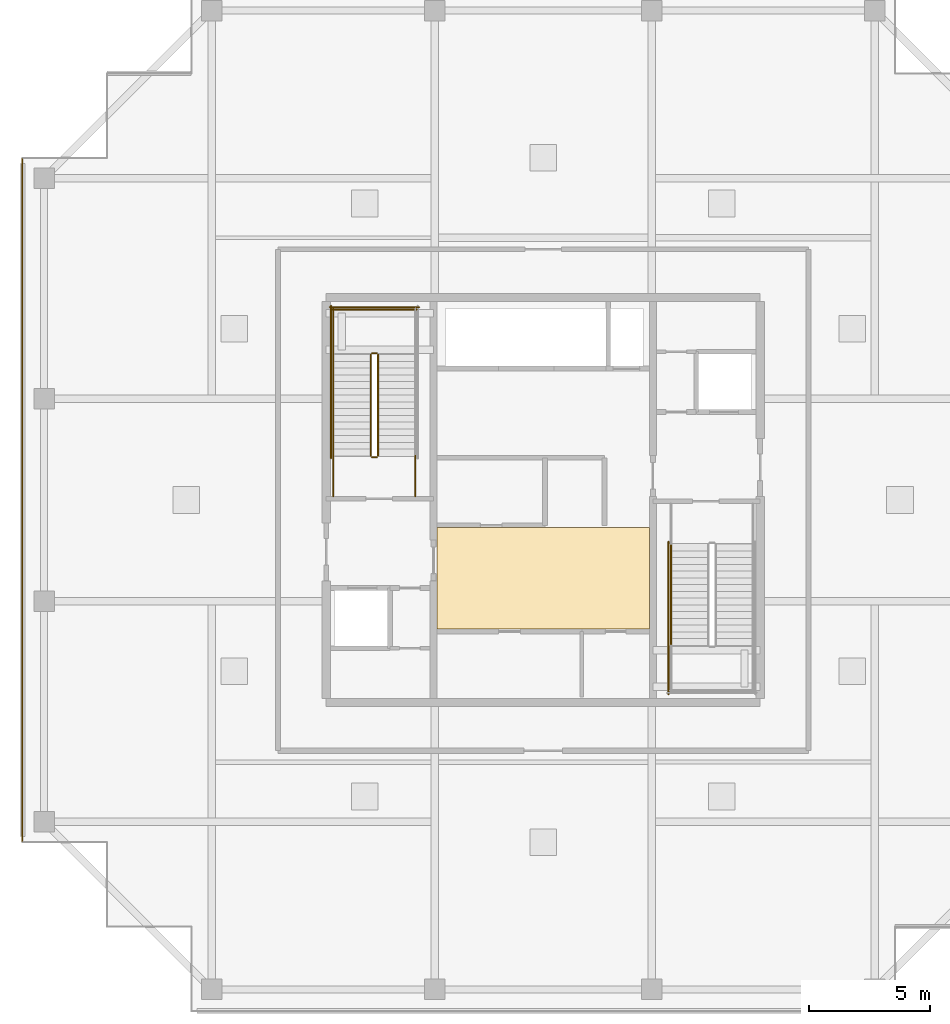
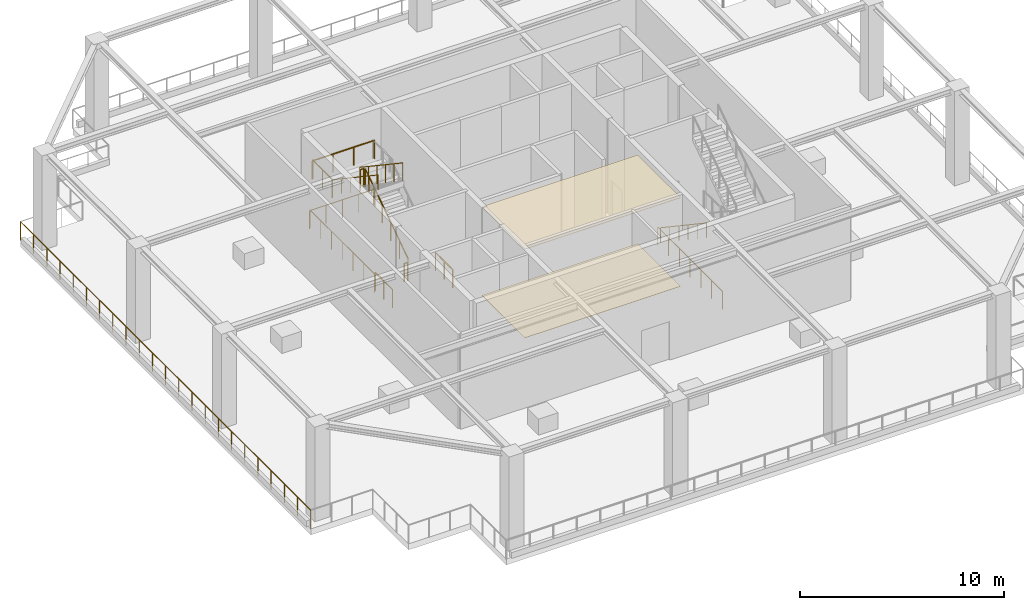
# One storey, part 8 of 10: 14 railings, 2 coverings.
"""IFC4 building model written with IfcOpenShell, lengths in metres."""

from ifc_helpers import new_model, si_unit, direction, frame, origin, origin_2d, place, context, subcontext, project, spatial, polyline, circle, outline, extrude, material, layer, layer_set, type_object, element, save


model = new_model("IFC4")

# Units and contexts
model_context = context("Model", 3, precision=1e-05, world=origin(), true_north=direction((0.0, 1.0)))
body_context = subcontext(model_context, "Body", "Model", "MODEL_VIEW")
ifc_project = project(units=[si_unit("LENGTHUNIT", "METRE"), si_unit("AREAUNIT", "SQUARE_METRE"), si_unit("VOLUMEUNIT", "CUBIC_METRE"), si_unit("PLANEANGLEUNIT", "RADIAN"), si_unit("MASSUNIT", "GRAM", prefix="KILO")], contexts=[model_context])

# Site, building, storey
site_placement = place(None, origin())
site = spatial("IfcSite", under=ifc_project, at=site_placement, CompositionType="ELEMENT")
building_placement = place(site_placement, origin())
building = spatial("IfcBuilding", under=site, at=building_placement, Name="Serunith Strait Residences", CompositionType="ELEMENT")
storey_placement = place(building_placement, frame((0.0, 0.0, 359.75)))
storey = spatial("IfcBuildingStorey", under=building, at=storey_placement, Name="L88", CompositionType="ELEMENT", Elevation=359.75)

# Coverings
ifc_material_1 = material(Name="Perforated acoustic gypsum ceiling tile")
ifc_layer_1 = layer(ifc_material_1, 0.02490234375, Name="Perforated acoustic gypsum ceiling tile")
ifc_layer_set_1 = layer_set([ifc_layer_1], Name="Perforated acoustic gypsum ceiling tile")
covering_type_1 = type_object("IfcCoveringType", Name="COV-CEIL-AC60", PredefinedType="CEILING", material=ifc_layer_set_1)
covering_1_placement = place(storey_placement, frame((0.0, 0.0, 5.2900390625)))
element("IfcCovering", 1, at=covering_1_placement, inside=storey, type_object=covering_type_1, Name="L88 Lift Lobby Acoustic Ceiling", PredefinedType="CEILING", context=body_context, shape_type="SweptSolid", body=[
    extrude(outline(polyline([(28.0, 19.85009765625), (36.800048828125, 19.85009765625), (36.800048828125, 24.050048828125), (28.0, 24.050048828125), (28.0, 19.85009765625)])), origin(), (0.0, 0.0, 1.0), 0.02490234375),
])
ifc_material_2 = material(Name="Honed limestone terrazzo flooring", Category="masonry")
ifc_layer_2 = layer(ifc_material_2, 0.02001953125, Name="Honed limestone terrazzo flooring")
ifc_layer_set_2 = layer_set([ifc_layer_2], Name="Honed limestone terrazzo flooring")
covering_type_2 = type_object("IfcCoveringType", Name="COV-FLOOR-TER40", PredefinedType="FLOORING", material=ifc_layer_set_2)
covering_2_placement = place(storey_placement, origin())
element("IfcCovering", 2, at=covering_2_placement, inside=storey, type_object=covering_type_2, Name="L88 Lift Lobby Terrazzo Flooring", PredefinedType="FLOORING", context=body_context, shape_type="SweptSolid", body=[
    extrude(outline(polyline([(28.0, 19.85009765625), (36.800048828125, 19.85009765625), (36.800048828125, 24.050048828125), (28.0, 24.050048828125), (28.0, 19.85009765625)])), origin(), (0.0, 0.0, 1.0), 0.02001953125),
])

# Railings
ifc_material_3 = material(Name="Stainless Steel & Laminated Glass Balustrade", Category="steel")
railing_type_1 = type_object("IfcRailingType", Name="RLG-BALC-1150", PredefinedType="BALUSTRADE", material=ifc_material_3)
railing_1_placement = place(storey_placement, frame((10.800048828125, 39.39990234375, 0.0)))
element("IfcRailing", 3, at=railing_1_placement, inside=storey, type_object=railing_type_1, Name="Crown Sky-Garden Perimeter Balustrade 16", PredefinedType="BALUSTRADE", context=body_context, shape_type="SweptSolid", body=[
    extrude(circle(Radius=0.02392578125, at=origin_2d()), frame((0.0, -0.001953125, 1.1259765625), z_axis=(0.0, -1.0, 0.0), x_axis=(1.0, 0.0, 0.0)), (0.0, 0.0, 1.0), 28.39599609375),
    extrude(circle(Radius=0.02099609375, at=origin_2d()), origin(), (0.0, 0.0, 1.0), 1.099853515625),
    extrude(circle(Radius=0.02099609375, at=origin_2d()), frame((0.0, -1.291015625, 0.0)), (0.0, 0.0, 1.0), 1.099853515625),
    extrude(circle(Radius=0.02099609375, at=origin_2d()), frame((0.0, -2.581787109375, 0.0)), (0.0, 0.0, 1.0), 1.099853515625),
    extrude(circle(Radius=0.02099609375, at=origin_2d()), frame((0.0, -3.872802734375, 0.0)), (0.0, 0.0, 1.0), 1.099853515625),
    extrude(circle(Radius=0.02099609375, at=origin_2d()), frame((0.0, -5.16357421875, 0.0)), (0.0, 0.0, 1.0), 1.099853515625),
    extrude(circle(Radius=0.02099609375, at=origin_2d()), frame((0.0, -6.45458984375, 0.0)), (0.0, 0.0, 1.0), 1.099853515625),
    extrude(circle(Radius=0.02099609375, at=origin_2d()), frame((0.0, -7.745361328125, 0.0)), (0.0, 0.0, 1.0), 1.099853515625),
    extrude(circle(Radius=0.02099609375, at=origin_2d()), frame((0.0, -9.036376953125, 0.0)), (0.0, 0.0, 1.0), 1.099853515625),
    extrude(circle(Radius=0.02099609375, at=origin_2d()), frame((0.0, -10.3271484375, 0.0)), (0.0, 0.0, 1.0), 1.099853515625),
    extrude(circle(Radius=0.02099609375, at=origin_2d()), frame((0.0, -11.6181640625, 0.0)), (0.0, 0.0, 1.0), 1.099853515625),
    extrude(circle(Radius=0.02099609375, at=origin_2d()), frame((0.0, -12.908935546875, 0.0)), (0.0, 0.0, 1.0), 1.099853515625),
    extrude(circle(Radius=0.02099609375, at=origin_2d()), frame((0.0, -14.199951171875, 0.0)), (0.0, 0.0, 1.0), 1.099853515625),
    extrude(circle(Radius=0.02099609375, at=origin_2d()), frame((0.0, -15.490966796875, 0.0)), (0.0, 0.0, 1.0), 1.099853515625),
    extrude(circle(Radius=0.02099609375, at=origin_2d()), frame((0.0, -16.78173828125, 0.0)), (0.0, 0.0, 1.0), 1.099853515625),
    extrude(circle(Radius=0.02099609375, at=origin_2d()), frame((0.0, -18.07275390625, 0.0)), (0.0, 0.0, 1.0), 1.099853515625),
    extrude(circle(Radius=0.02099609375, at=origin_2d()), frame((0.0, -19.363525390625, 0.0)), (0.0, 0.0, 1.0), 1.099853515625),
    extrude(circle(Radius=0.02099609375, at=origin_2d()), frame((0.0, -20.654541015625, 0.0)), (0.0, 0.0, 1.0), 1.099853515625),
    extrude(circle(Radius=0.02099609375, at=origin_2d()), frame((0.0, -21.9453125, 0.0)), (0.0, 0.0, 1.0), 1.099853515625),
    extrude(circle(Radius=0.02099609375, at=origin_2d()), frame((0.0, -23.236328125, 0.0)), (0.0, 0.0, 1.0), 1.099853515625),
    extrude(circle(Radius=0.02099609375, at=origin_2d()), frame((0.0, -24.527099609375, 0.0)), (0.0, 0.0, 1.0), 1.099853515625),
    extrude(circle(Radius=0.02099609375, at=origin_2d()), frame((0.0, -25.818115234375, 0.0)), (0.0, 0.0, 1.0), 1.099853515625),
    extrude(circle(Radius=0.02099609375, at=origin_2d()), frame((0.0, -27.10888671875, 0.0)), (0.0, 0.0, 1.0), 1.099853515625),
    extrude(circle(Radius=0.02099609375, at=origin_2d()), frame((0.0, -28.39990234375, 0.0)), (0.0, 0.0, 1.0), 1.099853515625),
])
ifc_material_4 = material(Name="Brushed stainless steel 316L", Category="steel")
railing_type_2 = type_object("IfcRailingType", Name="RLG-STAIR-GUARD", PredefinedType="BALUSTRADE", material=ifc_material_4)
railing_2_placement = place(storey_placement, frame((25.550048828125, 27.030029296875, 0.1875)))
element("IfcRailing", 4, at=railing_2_placement, inside=storey, type_object=railing_type_2, Name="L88 ST-1 stair guard 1", PredefinedType="BALUSTRADE", context=body_context, shape_type="SweptSolid", body=[
    extrude(circle(Radius=0.02392578125, at=origin_2d()), frame((0.0, 0.001708984375, 1.0771484375), z_axis=(0.0, 0.830904186295, 0.556415522067), x_axis=(-1.0, 0.0, 0.0)), (0.0, 0.0, 1.0), 5.05078125),
    extrude(circle(Radius=0.02099609375, at=origin_2d()), origin(), (0.0, 0.0, 1.0), 1.050048828125),
    extrude(circle(Radius=0.02099609375, at=origin_2d()), frame((0.0, 0.840087890625, 0.5625)), (0.0, 0.0, 1.0), 1.050048828125),
    extrude(circle(Radius=0.02099609375, at=origin_2d()), frame((0.0, 1.679931640625, 1.125)), (0.0, 0.0, 1.0), 1.050048828125),
    extrude(circle(Radius=0.02099609375, at=origin_2d()), frame((0.0, 2.52001953125, 1.6875)), (0.0, 0.0, 1.0), 1.050048828125),
    extrude(circle(Radius=0.02099609375, at=origin_2d()), frame((0.0, 3.35986328125, 2.25)), (0.0, 0.0, 1.0), 1.050048828125),
    extrude(circle(Radius=0.02099609375, at=origin_2d()), frame((0.0, 4.199951171875, 2.8125)), (0.0, 0.0, 1.0), 1.050048828125),
])
railing_3_placement = place(storey_placement, frame((25.5, 31.280029296875, 3.0)))
element("IfcRailing", 5, at=railing_3_placement, inside=storey, type_object=railing_type_2, Name="L88 ST-1 stair guard 2", PredefinedType="BALUSTRADE", context=body_context, shape_type="SweptSolid", body=[
    extrude(circle(Radius=0.02392578125, at=origin_2d()), frame((-0.001953125, 0.0, 1.076171875), z_axis=(-1.0, 0.0, 0.0), x_axis=(0.0, -1.0, 0.0)), (0.0, 0.0, 1.0), 0.196044921875),
    extrude(circle(Radius=0.02099609375, at=origin_2d()), origin(), (0.0, 0.0, 1.0), 1.050048828125),
    extrude(circle(Radius=0.02099609375, at=origin_2d()), frame((-0.199951171875, 0.0, 0.0)), (0.0, 0.0, 1.0), 1.050048828125),
])
railing_4_placement = place(storey_placement, frame((23.699951171875, 31.22998046875, 3.0)))
element("IfcRailing", 6, at=railing_4_placement, inside=storey, type_object=railing_type_2, Name="L88 ST-1 stair guard 4", PredefinedType="BALUSTRADE", context=body_context, shape_type="SweptSolid", body=[
    extrude(circle(Radius=0.02392578125, at=origin_2d()), frame((0.0, 0.001953125, 1.076171875), z_axis=(0.0, 1.0, 0.0), x_axis=(-1.0, 0.0, 0.0)), (0.0, 0.0, 1.0), 1.916015625),
    extrude(circle(Radius=0.02099609375, at=origin_2d()), origin(), (0.0, 0.0, 1.0), 1.050048828125),
    extrude(circle(Radius=0.02099609375, at=origin_2d()), frame((0.0, 0.9599609375, 0.0)), (0.0, 0.0, 1.0), 1.050048828125),
    extrude(circle(Radius=0.02099609375, at=origin_2d()), frame((0.0, 1.919921875, 0.0)), (0.0, 0.0, 1.0), 1.050048828125),
])
railing_5_placement = place(storey_placement, frame((27.14990234375, 33.10009765625, 3.0)))
element("IfcRailing", 7, at=railing_5_placement, inside=storey, type_object=railing_type_2, Name="L88 ST-1 stair guard 5", PredefinedType="BALUSTRADE", context=body_context, shape_type="SweptSolid", body=[
    extrude(circle(Radius=0.02392578125, at=origin_2d()), frame((-0.001953125, 0.0, 1.076171875), z_axis=(-1.0, 0.0, 0.0), x_axis=(0.0, -1.0, 0.0)), (0.0, 0.0, 1.0), 3.49609375),
    extrude(circle(Radius=0.02099609375, at=origin_2d()), origin(), (0.0, 0.0, 1.0), 1.050048828125),
    extrude(circle(Radius=0.02099609375, at=origin_2d()), frame((-1.166748046875, 0.0, 0.0)), (0.0, 0.0, 1.0), 1.050048828125),
    extrude(circle(Radius=0.02099609375, at=origin_2d()), frame((-2.333251953125, 0.0, 0.0)), (0.0, 0.0, 1.0), 1.050048828125),
    extrude(circle(Radius=0.02099609375, at=origin_2d()), frame((-3.5, 0.0, 0.0)), (0.0, 0.0, 1.0), 1.050048828125),
])
railing_6_placement = place(storey_placement, frame((25.25, 31.22998046875, 3.1875)))
element("IfcRailing", 8, at=railing_6_placement, inside=storey, type_object=railing_type_2, Name="L88 ST-1 stair guard 6", PredefinedType="BALUSTRADE", context=body_context, shape_type="SweptSolid", body=[
    extrude(circle(Radius=0.02392578125, at=origin_2d()), frame((0.0, -0.001708984375, 1.0771484375), z_axis=(0.0, -0.830904186295, 0.556415522067), x_axis=(1.0, 0.0, 0.0)), (0.0, 0.0, 1.0), 5.05078125),
    extrude(circle(Radius=0.02099609375, at=origin_2d()), origin(), (0.0, 0.0, 1.0), 1.050048828125),
    extrude(circle(Radius=0.02099609375, at=origin_2d()), frame((0.0, -0.840087890625, 0.5625)), (0.0, 0.0, 1.0), 1.050048828125),
    extrude(circle(Radius=0.02099609375, at=origin_2d()), frame((0.0, -1.679931640625, 1.125)), (0.0, 0.0, 1.0), 1.050048828125),
    extrude(circle(Radius=0.02099609375, at=origin_2d()), frame((0.0, -2.52001953125, 1.6875)), (0.0, 0.0, 1.0), 1.050048828125),
    extrude(circle(Radius=0.02099609375, at=origin_2d()), frame((0.0, -3.35986328125, 2.25)), (0.0, 0.0, 1.0), 1.050048828125),
    extrude(circle(Radius=0.02099609375, at=origin_2d()), frame((0.0, -4.199951171875, 2.8125)), (0.0, 0.0, 1.0), 1.050048828125),
])
railing_7_placement = place(storey_placement, frame((25.5, 26.97998046875, 0.0)))
element("IfcRailing", 9, at=railing_7_placement, inside=storey, type_object=railing_type_2, Name="L88 ST-1 stair guard 7", PredefinedType="BALUSTRADE", context=body_context, shape_type="SweptSolid", body=[
    extrude(circle(Radius=0.02392578125, at=origin_2d()), frame((-0.001953125, 0.0, 1.076171875), z_axis=(-1.0, 0.0, 0.0), x_axis=(0.0, -1.0, 0.0)), (0.0, 0.0, 1.0), 0.196044921875),
    extrude(circle(Radius=0.02099609375, at=origin_2d()), origin(), (0.0, 0.0, 1.0), 1.050048828125),
    extrude(circle(Radius=0.02099609375, at=origin_2d()), frame((-0.199951171875, 0.0, 0.0)), (0.0, 0.0, 1.0), 1.050048828125),
])
for number, where, name in (
    (10, (27.10009765625, 25.35009765625, 0.0), "L88 ST-1 stair guard 8"),
    (11, (23.699951171875, 25.35009765625, 0.0), "L88 ST-1 stair guard 9"),
):
    element("IfcRailing", number, at=place(storey_placement, frame(where)), inside=storey, type_object=railing_type_2, Name=name, PredefinedType="BALUSTRADE", context=body_context, shape_type="SweptSolid", body=[
        extrude(circle(Radius=0.02392578125, at=origin_2d()), frame((0.0, 0.001953125, 1.076171875), z_axis=(0.0, 1.0, 0.0), x_axis=(-1.0, 0.0, 0.0)), (0.0, 0.0, 1.0), 1.676025390625),
        extrude(circle(Radius=0.02099609375, at=origin_2d()), origin(), (0.0, 0.0, 1.0), 1.050048828125),
        extrude(circle(Radius=0.02099609375, at=origin_2d()), frame((0.0, 0.83984375, 0.0)), (0.0, 0.0, 1.0), 1.050048828125),
        extrude(circle(Radius=0.02099609375, at=origin_2d()), frame((0.0, 1.679931640625, 0.0)), (0.0, 0.0, 1.0), 1.050048828125),
    ])
railing_8_placement = place(storey_placement, frame((23.60009765625, 26.929931640625, 0.0)))
element("IfcRailing", 12, at=railing_8_placement, inside=storey, type_object=railing_type_2, Name="L88 ST-1 stair guard 11", PredefinedType="BALUSTRADE", context=body_context, shape_type="SweptSolid", body=[
    extrude(circle(Radius=0.02392578125, at=origin_2d()), frame((0.0, 0.001953125, 1.076171875), z_axis=(0.0, 1.0, 0.0), x_axis=(-1.0, 0.0, 0.0)), (0.0, 0.0, 1.0), 6.316162109375),
    extrude(circle(Radius=0.02099609375, at=origin_2d()), origin(), (0.0, 0.0, 1.0), 1.050048828125),
    extrude(circle(Radius=0.02099609375, at=origin_2d()), frame((0.0, 1.05322265625, 0.0)), (0.0, 0.0, 1.0), 1.050048828125),
    extrude(circle(Radius=0.02099609375, at=origin_2d()), frame((0.0, 2.106689453125, 0.0)), (0.0, 0.0, 1.0), 1.050048828125),
    extrude(circle(Radius=0.02099609375, at=origin_2d()), frame((0.0, 3.16015625, 0.0)), (0.0, 0.0, 1.0), 1.050048828125),
    extrude(circle(Radius=0.02099609375, at=origin_2d()), frame((0.0, 4.21337890625, 0.0)), (0.0, 0.0, 1.0), 1.050048828125),
    extrude(circle(Radius=0.02099609375, at=origin_2d()), frame((0.0, 5.2666015625, 0.0)), (0.0, 0.0, 1.0), 1.050048828125),
    extrude(circle(Radius=0.02099609375, at=origin_2d()), frame((0.0, 6.320068359375, 0.0)), (0.0, 0.0, 1.0), 1.050048828125),
])
railing_9_placement = place(storey_placement, frame((27.25, 33.199951171875, 0.0)))
element("IfcRailing", 13, at=railing_9_placement, inside=storey, type_object=railing_type_2, Name="L88 ST-1 stair guard 12", PredefinedType="BALUSTRADE", context=body_context, shape_type="SweptSolid", body=[
    extrude(circle(Radius=0.02392578125, at=origin_2d()), frame((-0.001953125, 0.0, 1.076171875), z_axis=(-1.0, 0.0, 0.0), x_axis=(0.0, -1.0, 0.0)), (0.0, 0.0, 1.0), 3.696044921875),
    extrude(circle(Radius=0.02099609375, at=origin_2d()), origin(), (0.0, 0.0, 1.0), 1.050048828125),
    extrude(circle(Radius=0.02099609375, at=origin_2d()), frame((-0.925048828125, 0.0, 0.0)), (0.0, 0.0, 1.0), 1.050048828125),
    extrude(circle(Radius=0.02099609375, at=origin_2d()), frame((-1.85009765625, 0.0, 0.0)), (0.0, 0.0, 1.0), 1.050048828125),
    extrude(circle(Radius=0.02099609375, at=origin_2d()), frame((-2.77490234375, 0.0, 0.0)), (0.0, 0.0, 1.0), 1.050048828125),
    extrude(circle(Radius=0.02099609375, at=origin_2d()), frame((-3.699951171875, 0.0, 0.0)), (0.0, 0.0, 1.0), 1.050048828125),
])
railing_10_placement = place(storey_placement, frame((37.60009765625, 23.469970703125, 0.0)))
element("IfcRailing", 14, at=railing_10_placement, inside=storey, type_object=railing_type_2, Name="L88 ST-2 stair guard 10", PredefinedType="BALUSTRADE", context=body_context, shape_type="SweptSolid", body=[
    extrude(circle(Radius=0.02392578125, at=origin_2d()), frame((0.0, -0.001953125, 1.076171875), z_axis=(0.0, -1.0, 0.0), x_axis=(1.0, 0.0, 0.0)), (0.0, 0.0, 1.0), 6.316162109375),
    extrude(circle(Radius=0.02099609375, at=origin_2d()), origin(), (0.0, 0.0, 1.0), 1.050048828125),
    extrude(circle(Radius=0.02099609375, at=origin_2d()), frame((0.0, -1.05322265625, 0.0)), (0.0, 0.0, 1.0), 1.050048828125),
    extrude(circle(Radius=0.02099609375, at=origin_2d()), frame((0.0, -2.106689453125, 0.0)), (0.0, 0.0, 1.0), 1.050048828125),
    extrude(circle(Radius=0.02099609375, at=origin_2d()), frame((0.0, -3.16015625, 0.0)), (0.0, 0.0, 1.0), 1.050048828125),
    extrude(circle(Radius=0.02099609375, at=origin_2d()), frame((0.0, -4.21337890625, 0.0)), (0.0, 0.0, 1.0), 1.050048828125),
    extrude(circle(Radius=0.02099609375, at=origin_2d()), frame((0.0, -5.2666015625, 0.0)), (0.0, 0.0, 1.0), 1.050048828125),
    extrude(circle(Radius=0.02099609375, at=origin_2d()), frame((0.0, -6.320068359375, 0.0)), (0.0, 0.0, 1.0), 1.050048828125),
])
railing_type_3 = type_object("IfcRailingType", Name="RLG-STAIR-HR", PredefinedType="HANDRAIL", material=ifc_material_4)
railing_11_placement = place(storey_placement, frame((23.699951171875, 31.22998046875, 3.1875)))
element("IfcRailing", 15, at=railing_11_placement, inside=storey, type_object=railing_type_3, Name="L88 ST-1 stair handrail 2", PredefinedType="HANDRAIL", context=body_context, shape_type="SweptSolid", body=[
    extrude(circle(Radius=0.02392578125, at=origin_2d()), frame((0.0, -0.001708984375, 0.876953125), z_axis=(0.0, -0.830487339298, 0.557037502566), x_axis=(1.0, 0.0, 0.0)), (0.0, 0.0, 1.0), 5.390380859375),
    extrude(circle(Radius=0.02099609375, at=origin_2d()), origin(), (0.0, 0.0, 1.0), 0.849853515625),
    extrude(circle(Radius=0.02099609375, at=origin_2d()), frame((0.0, -0.89599609375, 0.60107421875)), (0.0, 0.0, 1.0), 0.849853515625),
    extrude(circle(Radius=0.02099609375, at=origin_2d()), frame((0.0, -1.7919921875, 1.201904296875)), (0.0, 0.0, 1.0), 0.849853515625),
    extrude(circle(Radius=0.02099609375, at=origin_2d()), frame((0.0, -2.68798828125, 1.802978515625)), (0.0, 0.0, 1.0), 0.849853515625),
    extrude(circle(Radius=0.02099609375, at=origin_2d()), frame((0.0, -3.583984375, 2.40380859375)), (0.0, 0.0, 1.0), 0.849853515625),
    extrude(circle(Radius=0.02099609375, at=origin_2d()), frame((0.0, -4.47998046875, 3.0048828125)), (0.0, 0.0, 1.0), 0.849853515625),
])
railing_12_placement = place(storey_placement, frame((37.699951171875, 23.3701171875, 0.1875)))
element("IfcRailing", 16, at=railing_12_placement, inside=storey, type_object=railing_type_3, Name="L88 ST-2 stair handrail 1", PredefinedType="HANDRAIL", context=body_context, shape_type="SweptSolid", body=[
    extrude(circle(Radius=0.02392578125, at=origin_2d()), frame((0.0, -0.001708984375, 0.876953125), z_axis=(0.0, -0.830501381698, 0.557016566179), x_axis=(1.0, 0.0, 0.0)), (0.0, 0.0, 1.0), 5.390625),
    extrude(circle(Radius=0.02099609375, at=origin_2d()), origin(), (0.0, 0.0, 1.0), 0.849853515625),
    extrude(circle(Radius=0.02099609375, at=origin_2d()), frame((0.0, -0.89599609375, 0.60107421875)), (0.0, 0.0, 1.0), 0.849853515625),
    extrude(circle(Radius=0.02099609375, at=origin_2d()), frame((0.0, -1.7919921875, 1.201904296875)), (0.0, 0.0, 1.0), 0.849853515625),
    extrude(circle(Radius=0.02099609375, at=origin_2d()), frame((0.0, -2.688232421875, 1.802978515625)), (0.0, 0.0, 1.0), 0.849853515625),
    extrude(circle(Radius=0.02099609375, at=origin_2d()), frame((0.0, -3.584228515625, 2.40380859375)), (0.0, 0.0, 1.0), 0.849853515625),
    extrude(circle(Radius=0.02099609375, at=origin_2d()), frame((0.0, -4.480224609375, 3.0048828125)), (0.0, 0.0, 1.0), 0.849853515625),
])

save(model, "model.ifc")
